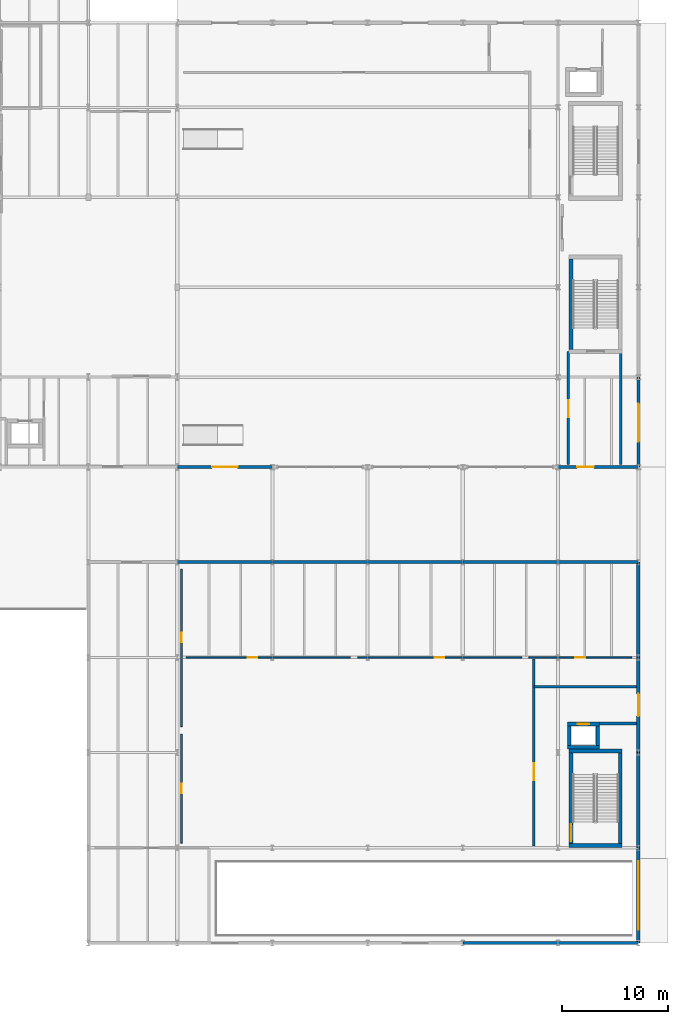
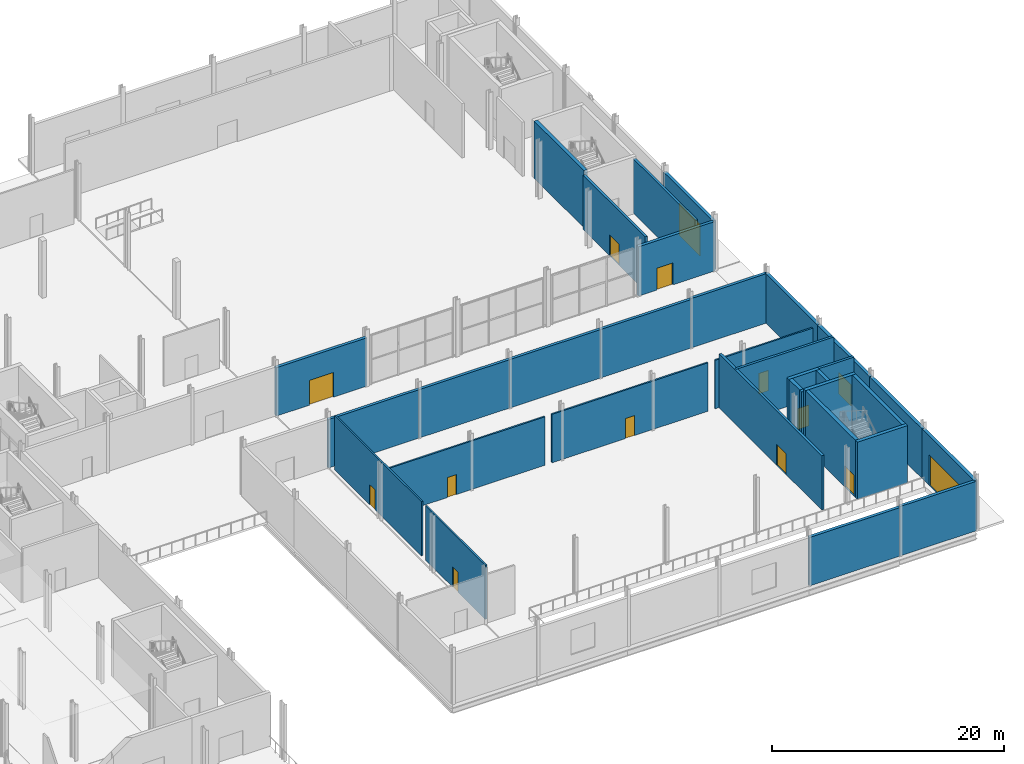
# One storey, part 62 of 84: 33 walls, 14 doors, 14 openings.
"""IFC4 building model written with IfcOpenShell, lengths in metres."""

from ifc_helpers import new_model, si_unit, direction, frame, frame_2d, origin, place, context, subcontext, project, spatial, rectangle, extrude, material, layer, layer_set, type_object, element, fill, save


model = new_model("IFC4")

# Units and contexts
model_context = context("Model", 3, precision=1e-05, world=origin(), true_north=direction((0.0, 1.0)))
body_context = subcontext(model_context, "Body", "Model", "MODEL_VIEW")
ifc_project = project(units=[si_unit("LENGTHUNIT", "METRE"), si_unit("AREAUNIT", "SQUARE_METRE"), si_unit("VOLUMEUNIT", "CUBIC_METRE"), si_unit("PLANEANGLEUNIT", "RADIAN"), si_unit("MASSUNIT", "GRAM", prefix="KILO")], contexts=[model_context])

# Site, building, storey
site_placement = place(None, origin())
site = spatial("IfcSite", under=ifc_project, at=site_placement, CompositionType="ELEMENT")
building_placement = place(site_placement, origin())
building = spatial("IfcBuilding", under=site, at=building_placement, Name="Sefraquen Railside Congress Hotel", CompositionType="ELEMENT")
storey_placement = place(building_placement, origin())
storey = spatial("IfcBuildingStorey", under=building, at=storey_placement, Name="L00", CompositionType="ELEMENT", Elevation=0.0)

# Walls
ifc_material_1 = material(Name="Concrete C50/60", Category="concrete")
ifc_layer_1 = layer(ifc_material_1, 0.35009765625)
ifc_layer_set_1 = layer_set([ifc_layer_1], Name="Concrete C50/60")
wall_type_1 = type_object("IfcWallType", Name="TW-CW-350", PredefinedType="SHEAR", material=ifc_layer_set_1)
wall_1_placement = place(storey_placement, frame((165.625, 65.10009765625, 0.0), z_axis=(0.0, 0.0, 1.0), x_axis=(0.0, 1.0, 0.0)))
element("IfcWall", 1, at=wall_1_placement, inside=storey, type_object=wall_type_1, Name="Core shear wall ST-B02 W L00", PredefinedType="SHEAR", context=body_context, shape_type="SweptSolid", body=[
    extrude(rectangle(XDim=8.579833984375, YDim=0.35009765625, at=frame_2d((4.2900390625, 0.0))), origin(), (0.0, 0.0, 1.0), 6.0),
])
for number, where, z_axis, x_axis, name in (
    (2, (165.449951171875, 27.155029296875, 0.0), (0.0, 0.0, 1.0), (1.0, 0.0, 0.0), "Core shear wall ST-S01 N L00"),
    (3, (165.449951171875, 18.22509765625, 0.0), (0.0, 0.0, 1.0), (1.0, 0.0, 0.0), "Core shear wall ST-S01 S L00"),
):
    element("IfcWall", number, at=place(storey_placement, frame(where, z_axis=z_axis, x_axis=x_axis)), inside=storey, type_object=wall_type_1, Name=name, PredefinedType="SHEAR", context=body_context, shape_type="SweptSolid", body=[
        extrude(rectangle(XDim=5.0, YDim=0.35009765625, at=frame_2d((2.5, 0.0))), origin(), (0.0, 0.0, 1.0), 6.0),
    ])

# Wall, opening, door
wall_2_placement = place(storey_placement, frame((165.625, 18.39990234375, 0.0), z_axis=(0.0, 0.0, 1.0), x_axis=(0.0, 1.0, 0.0)))
wall_2 = element("IfcWall", 4, at=wall_2_placement, inside=storey, type_object=wall_type_1, Name="Core shear wall ST-S01 W L00", PredefinedType="SHEAR", context=body_context, shape_type="SweptSolid", body=[
    extrude(rectangle(XDim=8.580078125, YDim=0.35009765625, at=frame_2d((4.2900390625, 0.0))), origin(), (0.0, 0.0, 1.0), 6.0),
])
opening_1_placement = place(wall_2_placement, frame((0.22509765625, 0.0, 0.0)))
opening_1 = element("IfcOpeningElement", 5, at=opening_1_placement, cuts=wall_2, Name="Opening FD-02", PredefinedType="OPENING", context=body_context, shape_type="SweptSolid", body=[
    extrude(rectangle(XDim=1.60009765625, YDim=2.199951171875, at=frame_2d((0.800048828125, 1.10009765625))), frame((0.0, 0.18505859375, 0.0), z_axis=(0.0, -1.0, 0.0), x_axis=(1.0, 0.0, 0.0)), (0.0, 0.0, 1.0), 0.3701171875),
])
ifc_material_2 = material(Name="Fire-rated steel", Category="steel")
door_type_1 = type_object("IfcDoorType", Name="TD-FD-02", OperationType="NOTDEFINED", PredefinedType="DOOR", material=ifc_material_2)
door_1_placement = place(opening_1_placement, origin())
door_1 = element("IfcDoor", 6, at=door_1_placement, inside=storey, type_object=door_type_1, Name="Pressurized stair ST-S01 fire door L00", OperationType="SINGLE_SWING_RIGHT", OverallHeight=2.199951171875, OverallWidth=1.60009765625, PredefinedType="DOOR", context=body_context, shape_type="SweptSolid", body=[
    extrude(rectangle(XDim=1.60009765625, YDim=2.199951171875, at=frame_2d((0.800048828125, 1.10009765625))), frame((0.0, 0.02490234375, 0.0), z_axis=(0.0, -1.0, 0.0), x_axis=(1.0, 0.0, 0.0)), (0.0, 0.0, 1.0), 0.050048828125),
])
fill(opening_1, door_1)

# Wall
wall_3_placement = place(storey_placement, frame((170.27490234375, 18.39990234375, 0.0), z_axis=(0.0, 0.0, 1.0), x_axis=(0.0, 1.0, 0.0)))
element("IfcWall", 7, at=wall_3_placement, inside=storey, type_object=wall_type_1, Name="Core shear wall ST-S01 E L00", PredefinedType="SHEAR", context=body_context, shape_type="SweptSolid", body=[
    extrude(rectangle(XDim=8.580078125, YDim=0.35009765625, at=frame_2d((4.2900390625, 0.0))), origin(), (0.0, 0.0, 1.0), 6.0),
])

# Wall, opening, door
wall_4_placement = place(storey_placement, frame((165.280029296875, 29.695068359375, 0.0), z_axis=(0.0, 0.0, 1.0), x_axis=(1.0, 0.0, 0.0)))
wall_4 = element("IfcWall", 8, at=wall_4_placement, inside=storey, type_object=wall_type_1, Name="Lift PL-09 shaft wall N L00", PredefinedType="SHEAR", context=body_context, shape_type="SweptSolid", body=[
    extrude(rectangle(XDim=3.0400390625, YDim=0.35009765625, at=frame_2d((1.52001953125, 0.0))), origin(), (0.0, 0.0, 1.0), 5.699951171875),
])
opening_2_placement = place(wall_4_placement, frame((0.969970703125, 0.0, 0.0)))
opening_2 = element("IfcOpeningElement", 9, at=opening_2_placement, cuts=wall_4, Name="Opening LD-01", PredefinedType="OPENING", context=body_context, shape_type="SweptSolid", body=[
    extrude(rectangle(XDim=1.10009765625, YDim=2.199951171875, at=frame_2d((0.550048828125, 1.10009765625))), frame((0.0, 0.18505859375, 0.0), z_axis=(0.0, -1.0, 0.0), x_axis=(1.0, 0.0, 0.0)), (0.0, 0.0, 1.0), 0.3701171875),
])
ifc_material_3 = material(Name="Brushed bronze stainless steel", Category="steel")
door_type_2 = type_object("IfcDoorType", Name="TD-LD-01", OperationType="NOTDEFINED", PredefinedType="DOOR", material=ifc_material_3)
door_2_placement = place(opening_2_placement, origin())
door_2 = element("IfcDoor", 10, at=door_2_placement, inside=storey, type_object=door_type_2, Name="Lift landing door PL-09 L00", OperationType="SLIDING_TO_LEFT", OverallHeight=2.199951171875, OverallWidth=1.10009765625, PredefinedType="DOOR", context=body_context, shape_type="SweptSolid", body=[
    extrude(rectangle(XDim=1.10009765625, YDim=2.199951171875, at=frame_2d((0.550048828125, 1.10009765625))), frame((0.0, 0.02490234375, 0.0), z_axis=(0.0, -1.0, 0.0), x_axis=(1.0, 0.0, 0.0)), (0.0, 0.0, 1.0), 0.050048828125),
])
fill(opening_2, door_2)

# Walls
wall_5_placement = place(storey_placement, frame((165.280029296875, 27.5048828125, 0.0), z_axis=(0.0, 0.0, 1.0), x_axis=(1.0, 0.0, 0.0)))
element("IfcWall", 11, at=wall_5_placement, inside=storey, type_object=wall_type_1, Name="Lift PL-09 shaft wall S L00", PredefinedType="SHEAR", context=body_context, shape_type="SweptSolid", body=[
    extrude(rectangle(XDim=3.0400390625, YDim=0.35009765625, at=frame_2d((1.52001953125, 0.0))), origin(), (0.0, 0.0, 1.0), 5.699951171875),
])
for number, where, z_axis, x_axis, name in (
    (12, (165.455078125, 27.679931640625, 0.0), (0.0, 0.0, 1.0), (0.0, 1.0, 0.0), "Lift PL-09 shaft wall W L00"),
    (13, (168.14501953125, 27.679931640625, 0.0), (0.0, 0.0, 1.0), (0.0, 1.0, 0.0), "Lift PL-09 shaft wall E L00"),
):
    element("IfcWall", number, at=place(storey_placement, frame(where, z_axis=z_axis, x_axis=x_axis)), inside=storey, type_object=wall_type_1, Name=name, PredefinedType="SHEAR", context=body_context, shape_type="SweptSolid", body=[
        extrude(rectangle(XDim=1.840087890625, YDim=0.35009765625, at=frame_2d((0.919921875, 0.0))), origin(), (0.0, 0.0, 1.0), 5.699951171875),
    ])
ifc_material_4 = material(Name="Ochre Rabat calcarenite limestone and Concrete C40/50 backing", Category="masonry")
ifc_layer_2 = layer(ifc_material_4, 0.280029296875)
ifc_layer_set_2 = layer_set([ifc_layer_2], Name="Ochre Rabat calcarenite limestone and Concrete C40/50 backing")
wall_type_2 = type_object("IfcWallType", Name="TW-EW-280", PredefinedType="STANDARD", material=ifc_layer_set_2)
for number, where, z_axis, x_axis, name in (
    (14, (128.39990234375, 45.0, 0.0), (0.0, 0.0, 1.0), (1.0, 0.0, 0.0), "Thermal Spa L00 north garden wall 2"),
    (15, (137.39990234375, 45.0, 0.0), (0.0, 0.0, 1.0), (1.0, 0.0, 0.0), "Thermal Spa L00 north garden wall 3"),
    (16, (146.39990234375, 45.0, 0.0), (0.0, 0.0, 1.0), (1.0, 0.0, 0.0), "Thermal Spa L00 north garden wall 4"),
    (17, (155.39990234375, 45.0, 0.0), (0.0, 0.0, 1.0), (1.0, 0.0, 0.0), "Thermal Spa L00 north garden wall 5"),
):
    element("IfcWall", number, at=place(storey_placement, frame(where, z_axis=z_axis, x_axis=x_axis)), inside=storey, type_object=wall_type_2, Name=name, PredefinedType="STANDARD", context=body_context, shape_type="SweptSolid", body=[
        extrude(rectangle(XDim=9.0, YDim=0.280029296875, at=frame_2d((4.5, 0.0))), origin(), (0.0, 0.0, 1.0), 5.090087890625),
    ])
wall_6_placement = place(storey_placement, frame((164.39990234375, 45.0, 0.0), z_axis=(0.0, 0.0, 1.0), x_axis=(1.0, 0.0, 0.0)))
element("IfcWall", 18, at=wall_6_placement, inside=storey, type_object=wall_type_2, Name="Thermal Spa L00 north garden wall 6", PredefinedType="STANDARD", context=body_context, shape_type="SweptSolid", body=[
    extrude(rectangle(XDim=7.60009765625, YDim=0.280029296875, at=frame_2d((3.800048828125, 0.0))), origin(), (0.0, 0.0, 1.0), 5.18994140625),
])
ifc_layer_3 = layer(ifc_material_4, 0.300048828125)
ifc_layer_set_3 = layer_set([ifc_layer_3], Name="Ochre Rabat calcarenite limestone and Concrete C40/50 backing")
wall_type_3 = type_object("IfcWallType", Name="TW-EW-300", PredefinedType="STANDARD", material=ifc_layer_set_3)
wall_7_placement = place(storey_placement, frame((155.39990234375, 9.0, 0.0), z_axis=(0.0, 0.0, 1.0), x_axis=(1.0, 0.0, 0.0)))
element("IfcWall", 19, at=wall_7_placement, inside=storey, type_object=wall_type_3, Name="Thermal Spa L00 south limestone wall 5", PredefinedType="STANDARD", context=body_context, shape_type="SweptSolid", body=[
    extrude(rectangle(XDim=9.0, YDim=0.300048828125, at=frame_2d((4.5, 0.0))), origin(), (0.0, 0.0, 1.0), 5.090087890625),
])
wall_8_placement = place(storey_placement, frame((164.39990234375, 9.0, 0.0), z_axis=(0.0, 0.0, 1.0), x_axis=(1.0, 0.0, 0.0)))
element("IfcWall", 20, at=wall_8_placement, inside=storey, type_object=wall_type_3, Name="Thermal Spa L00 south limestone wall 6", PredefinedType="STANDARD", context=body_context, shape_type="SweptSolid", body=[
    extrude(rectangle(XDim=7.60009765625, YDim=0.300048828125, at=frame_2d((3.800048828125, 0.0))), origin(), (0.0, 0.0, 1.0), 5.18994140625),
])

# Wall, opening, door
wall_9_placement = place(storey_placement, frame((128.39990234375, 54.0, 0.0), z_axis=(0.0, 0.0, 1.0), x_axis=(1.0, 0.0, 0.0)))
wall_9 = element("IfcWall", 21, at=wall_9_placement, inside=storey, type_object=wall_type_3, Name="Grand Ballroom L00 S facade wall 1", PredefinedType="STANDARD", context=body_context, shape_type="SweptSolid", body=[
    extrude(rectangle(XDim=9.0, YDim=0.300048828125, at=frame_2d((4.5, 0.0))), origin(), (0.0, 0.0, 1.0), 5.090087890625),
])
opening_3_placement = place(wall_9_placement, frame((3.300048828125, 0.0, 0.0)))
opening_3 = element("IfcOpeningElement", 22, at=opening_3_placement, cuts=wall_9, Name="Opening ED-01", PredefinedType="OPENING", context=body_context, shape_type="SweptSolid", body=[
    extrude(rectangle(XDim=2.39990234375, YDim=2.60009765625, at=frame_2d((1.199951171875, 1.300048828125))), frame((0.0, 0.159912109375, 0.0), z_axis=(0.0, -1.0, 0.0), x_axis=(1.0, 0.0, 0.0)), (0.0, 0.0, 1.0), 0.320068359375),
])
ifc_material_5 = material(Name="Bronze and fire-rated laminated glass", Category="glass")
door_type_3 = type_object("IfcDoorType", Name="TD-ED-01", OperationType="NOTDEFINED", PredefinedType="DOOR", material=ifc_material_5)
door_3_placement = place(opening_3_placement, frame((2.39990234375, 0.0, 0.0), z_axis=(0.0, 0.0, 1.0), x_axis=(-1.0, 0.0, 0.0)))
door_3 = element("IfcDoor", 23, at=door_3_placement, inside=storey, type_object=door_type_3, Name="Grand Ballroom south final exit door 11", OperationType="DOUBLE_SWING_LEFT", OverallHeight=2.60009765625, OverallWidth=2.39990234375, PredefinedType="DOOR", context=body_context, shape_type="SweptSolid", body=[
    extrude(rectangle(XDim=2.39990234375, YDim=2.60009765625, at=frame_2d((1.199951171875, 1.300048828125))), frame((0.0, 0.02490234375, 0.0), z_axis=(0.0, -1.0, 0.0), x_axis=(1.0, 0.0, 0.0)), (0.0, 0.0, 1.0), 0.050048828125),
])
fill(opening_3, door_3)

wall_10_placement = place(storey_placement, frame((164.39990234375, 54.0, 0.0), z_axis=(0.0, 0.0, 1.0), x_axis=(1.0, 0.0, 0.0)))
wall_10 = element("IfcWall", 24, at=wall_10_placement, inside=storey, type_object=wall_type_3, Name="Grand Ballroom L00 S facade wall 5", PredefinedType="STANDARD", context=body_context, shape_type="SweptSolid", body=[
    extrude(rectangle(XDim=7.60009765625, YDim=0.300048828125, at=frame_2d((3.800048828125, 0.0))), origin(), (0.0, 0.0, 1.0), 5.18994140625),
])
opening_4_placement = place(wall_10_placement, frame((1.800048828125, 0.0, 0.0)))
opening_4 = element("IfcOpeningElement", 25, at=opening_4_placement, cuts=wall_10, Name="Opening ED-08", PredefinedType="OPENING", context=body_context, shape_type="SweptSolid", body=[
    extrude(rectangle(XDim=1.60009765625, YDim=2.300048828125, at=frame_2d((0.800048828125, 1.14990234375))), frame((0.0, 0.159912109375, 0.0), z_axis=(0.0, -1.0, 0.0), x_axis=(1.0, 0.0, 0.0)), (0.0, 0.0, 1.0), 0.320068359375),
])
ifc_material_6 = material(Name="Bronze and low-E fire-rated glass", Category="glass")
door_type_4 = type_object("IfcDoorType", Name="TD-ED-08", OperationType="NOTDEFINED", PredefinedType="DOOR", material=ifc_material_6)
door_4_placement = place(opening_4_placement, frame((1.60009765625, 0.0, 0.0), z_axis=(0.0, 0.0, 1.0), x_axis=(-1.0, 0.0, 0.0)))
door_4 = element("IfcDoor", 26, at=door_4_placement, inside=storey, type_object=door_type_4, Name="Ballroom South-East stair final exit door", OperationType="DOUBLE_SWING_LEFT", OverallHeight=2.300048828125, OverallWidth=1.60009765625, PredefinedType="DOOR", context=body_context, shape_type="SweptSolid", body=[
    extrude(rectangle(XDim=1.60009765625, YDim=2.300048828125, at=frame_2d((0.800048828125, 1.14990234375))), frame((0.0, 0.02490234375, 0.0), z_axis=(0.0, -1.0, 0.0), x_axis=(1.0, 0.0, 0.0)), (0.0, 0.0, 1.0), 0.050048828125),
])
fill(opening_4, door_4)

wall_11_placement = place(storey_placement, frame((172.0, 54.0, 0.0), z_axis=(0.0, 0.0, 1.0), x_axis=(0.0, 1.0, 0.0)))
wall_11 = element("IfcWall", 27, at=wall_11_placement, inside=storey, type_object=wall_type_3, Name="Grand Ballroom L00 east service facade wall 1", PredefinedType="STANDARD", context=body_context, shape_type="SweptSolid", body=[
    extrude(rectangle(XDim=8.5, YDim=0.300048828125, at=frame_2d((4.25, 0.0))), origin(), (0.0, 0.0, 1.0), 5.199951171875),
])
opening_5_placement = place(wall_11_placement, frame((2.39990234375, 0.0, 0.0)))
opening_5 = element("IfcOpeningElement", 28, at=opening_5_placement, cuts=wall_11, Name="Opening VG-02", PredefinedType="OPENING", context=body_context, shape_type="SweptSolid", body=[
    extrude(rectangle(XDim=3.60009765625, YDim=3.39990234375, at=frame_2d((1.800048828125, 1.699951171875))), frame((0.0, 0.159912109375, 0.0), z_axis=(0.0, -1.0, 0.0), x_axis=(1.0, 0.0, 0.0)), (0.0, 0.0, 1.0), 0.320068359375),
])
ifc_material_7 = material(Name="Insulated steel roller shutter", Category="steel")
door_type_5 = type_object("IfcDoorType", Name="TD-VG-02", OperationType="NOTDEFINED", PredefinedType="GATE", material=ifc_material_7)
door_5_placement = place(opening_5_placement, origin())
door_5 = element("IfcDoor", 29, at=door_5_placement, inside=storey, type_object=door_type_5, Name="Ballroom east loading bay service gate VG-02", OperationType="SLIDING_TO_LEFT", OverallHeight=3.39990234375, OverallWidth=3.60009765625, PredefinedType="GATE", context=body_context, shape_type="SweptSolid", body=[
    extrude(rectangle(XDim=3.60009765625, YDim=3.39990234375, at=frame_2d((1.800048828125, 1.699951171875))), frame((0.0, 0.02490234375, 0.0), z_axis=(0.0, -1.0, 0.0), x_axis=(1.0, 0.0, 0.0)), (0.0, 0.0, 1.0), 0.050048828125),
])
fill(opening_5, door_5)

ifc_layer_4 = layer(ifc_material_4, 0.320068359375)
ifc_layer_set_4 = layer_set([ifc_layer_4], Name="Ochre Rabat calcarenite limestone and Concrete C40/50 backing")
wall_type_4 = type_object("IfcWallType", Name="TW-EW-320", PredefinedType="STANDARD", material=ifc_layer_set_4)
wall_12_placement = place(storey_placement, frame((172.0, 9.0, 0.0), z_axis=(0.0, 0.0, 1.0), x_axis=(0.0, 1.0, 0.0)))
wall_12 = element("IfcWall", 30, at=wall_12_placement, inside=storey, type_object=wall_type_4, Name="East car park ramp portal wall", PredefinedType="STANDARD", context=body_context, shape_type="SweptSolid", body=[
    extrude(rectangle(XDim=9.0, YDim=0.320068359375, at=frame_2d((4.5, 0.0))), origin(), (0.0, 0.0, 1.0), 5.199951171875),
])
opening_6_placement = place(wall_12_placement, frame((1.25, 0.0, 0.0)))
opening_6 = element("IfcOpeningElement", 31, at=opening_6_placement, cuts=wall_12, Name="Opening VG-01", PredefinedType="OPENING", context=body_context, shape_type="SweptSolid", body=[
    extrude(rectangle(XDim=6.5, YDim=3.199951171875, at=frame_2d((3.25, 1.60009765625))), frame((0.0, 0.169921875, 0.0), z_axis=(0.0, -1.0, 0.0), x_axis=(1.0, 0.0, 0.0)), (0.0, 0.0, 1.0), 0.340087890625),
])
ifc_material_8 = material(Name="Patinated bronze and steel security grille", Category="steel")
door_type_6 = type_object("IfcDoorType", Name="TD-VG-01", OperationType="NOTDEFINED", PredefinedType="GATE", material=ifc_material_8)
door_6_placement = place(opening_6_placement, origin())
door_6 = element("IfcDoor", 32, at=door_6_placement, inside=storey, type_object=door_type_6, Name="Motorized basement car park entry gate VG-01", OperationType="SLIDING_TO_LEFT", OverallHeight=3.199951171875, OverallWidth=6.5, PredefinedType="GATE", context=body_context, shape_type="SweptSolid", body=[
    extrude(rectangle(XDim=6.5, YDim=3.199951171875, at=frame_2d((3.25, 1.60009765625))), frame((0.0, 0.02490234375, 0.0), z_axis=(0.0, -1.0, 0.0), x_axis=(1.0, 0.0, 0.0)), (0.0, 0.0, 1.0), 0.050048828125),
])
fill(opening_6, door_6)

# Wall
wall_13_placement = place(storey_placement, frame((172.0, 18.0, 0.0), z_axis=(0.0, 0.0, 1.0), x_axis=(0.0, 1.0, 0.0)))
element("IfcWall", 33, at=wall_13_placement, inside=storey, type_object=wall_type_4, Name="Thermal Spa L00 east facade wall 1", PredefinedType="STANDARD", context=body_context, shape_type="SweptSolid", body=[
    extrude(rectangle(XDim=9.0, YDim=0.320068359375, at=frame_2d((4.5, 0.0))), origin(), (0.0, 0.0, 1.0), 5.199951171875),
])

# Wall, opening, door
wall_14_placement = place(storey_placement, frame((172.0, 27.0, 0.0), z_axis=(0.0, 0.0, 1.0), x_axis=(0.0, 1.0, 0.0)))
wall_14 = element("IfcWall", 34, at=wall_14_placement, inside=storey, type_object=wall_type_4, Name="Thermal Spa L00 east facade wall 2", PredefinedType="STANDARD", context=body_context, shape_type="SweptSolid", body=[
    extrude(rectangle(XDim=9.0, YDim=0.320068359375, at=frame_2d((4.5, 0.0))), origin(), (0.0, 0.0, 1.0), 5.199951171875),
])
opening_7_placement = place(wall_14_placement, frame((3.449951171875, 0.0, 0.0)))
opening_7 = element("IfcOpeningElement", 35, at=opening_7_placement, cuts=wall_14, Name="Opening ED-06", PredefinedType="OPENING", context=body_context, shape_type="SweptSolid", body=[
    extrude(rectangle(XDim=2.10009765625, YDim=2.25, at=frame_2d((1.050048828125, 1.125))), frame((0.0, 0.169921875, 0.0), z_axis=(0.0, -1.0, 0.0), x_axis=(1.0, 0.0, 0.0)), (0.0, 0.0, 1.0), 0.340087890625),
])
ifc_material_9 = material(Name="Painted steel and safety glass", Category="steel")
door_type_7 = type_object("IfcDoorType", Name="TD-ED-06", OperationType="NOTDEFINED", PredefinedType="DOOR", material=ifc_material_9)
door_7_placement = place(opening_7_placement, frame((2.10009765625, 0.0, 0.0), z_axis=(0.0, 0.0, 1.0), x_axis=(-1.0, 0.0, 0.0)))
door_7 = element("IfcDoor", 36, at=door_7_placement, inside=storey, type_object=door_type_7, Name="Thermal Spa stair final exit door", OperationType="DOUBLE_SWING_LEFT", OverallHeight=2.25, OverallWidth=2.10009765625, PredefinedType="DOOR", context=body_context, shape_type="SweptSolid", body=[
    extrude(rectangle(XDim=2.10009765625, YDim=2.25, at=frame_2d((1.050048828125, 1.125))), frame((0.0, 0.02490234375, 0.0), z_axis=(0.0, -1.0, 0.0), x_axis=(1.0, 0.0, 0.0)), (0.0, 0.0, 1.0), 0.050048828125),
])
fill(opening_7, door_7)

# Wall
wall_15_placement = place(storey_placement, frame((172.0, 36.0, 0.0), z_axis=(0.0, 0.0, 1.0), x_axis=(0.0, 1.0, 0.0)))
element("IfcWall", 37, at=wall_15_placement, inside=storey, type_object=wall_type_4, Name="Thermal Spa L00 east facade wall 3", PredefinedType="STANDARD", context=body_context, shape_type="SweptSolid", body=[
    extrude(rectangle(XDim=9.0, YDim=0.320068359375, at=frame_2d((4.5, 0.0))), origin(), (0.0, 0.0, 1.0), 5.199951171875),
])

# Wall, opening, door
ifc_material_10 = material(Name="Concrete C40/50", Category="concrete")
ifc_layer_5 = layer(ifc_material_10, 0.239990234375)
ifc_layer_set_5 = layer_set([ifc_layer_5], Name="Concrete C40/50")
wall_type_5 = type_object("IfcWallType", Name="TW-FW-240", PredefinedType="STANDARD", material=ifc_layer_set_5)
wall_16_placement = place(storey_placement, frame((165.3798828125, 54.219970703125, 0.0), z_axis=(0.0, 0.0, 1.0), x_axis=(0.0, 1.0, 0.0)))
wall_16 = element("IfcWall", 38, at=wall_16_placement, inside=storey, type_object=wall_type_5, Name="Ballroom SE stair discharge EI 120 west fire wall", PredefinedType="STANDARD", context=body_context, shape_type="SweptSolid", body=[
    extrude(rectangle(XDim=10.679931640625, YDim=0.239990234375, at=frame_2d((5.33984375, 0.0))), origin(), (0.0, 0.0, 1.0), 5.699951171875),
])
opening_8_placement = place(wall_16_placement, frame((4.5, 0.0, 0.0)))
opening_8 = element("IfcOpeningElement", 39, at=opening_8_placement, cuts=wall_16, Name="Opening FD-02", PredefinedType="OPENING", context=body_context, shape_type="SweptSolid", body=[
    extrude(rectangle(XDim=1.60009765625, YDim=2.199951171875, at=frame_2d((0.800048828125, 1.10009765625))), frame((0.0, 0.1298828125, 0.0), z_axis=(0.0, -1.0, 0.0), x_axis=(1.0, 0.0, 0.0)), (0.0, 0.0, 1.0), 0.260009765625),
])
door_8_placement = place(opening_8_placement, origin())
door_8 = element("IfcDoor", 40, at=door_8_placement, inside=storey, type_object=door_type_1, Name="Ballroom SE stair discharge EI 120 west fire wall self-closing fire door", OperationType="DOUBLE_SWING_LEFT", OverallHeight=2.199951171875, OverallWidth=1.60009765625, PredefinedType="DOOR", context=body_context, shape_type="SweptSolid", body=[
    extrude(rectangle(XDim=1.60009765625, YDim=2.199951171875, at=frame_2d((0.800048828125, 1.10009765625))), frame((0.0, 0.02490234375, 0.0), z_axis=(0.0, -1.0, 0.0), x_axis=(1.0, 0.0, 0.0)), (0.0, 0.0, 1.0), 0.050048828125),
])
fill(opening_8, door_8)

# Wall
wall_17_placement = place(storey_placement, frame((170.35009765625, 54.219970703125, 0.0), z_axis=(0.0, 0.0, 1.0), x_axis=(0.0, 1.0, 0.0)))
element("IfcWall", 41, at=wall_17_placement, inside=storey, type_object=wall_type_5, Name="Ballroom SE stair discharge EI 120 east fire wall", PredefinedType="STANDARD", context=body_context, shape_type="SweptSolid", body=[
    extrude(rectangle(XDim=10.679931640625, YDim=0.239990234375, at=frame_2d((5.33984375, 0.0))), origin(), (0.0, 0.0, 1.0), 5.699951171875),
])

# Wall, opening, door
wall_18_placement = place(storey_placement, frame((162.1201171875, 18.179931640625, 0.0), z_axis=(0.0, 0.0, 1.0), x_axis=(0.0, 1.0, 0.0)))
wall_18 = element("IfcWall", 42, at=wall_18_placement, inside=storey, type_object=wall_type_5, Name="Thermal Spa stair discharge EI 120 west fire wall", PredefinedType="STANDARD", context=body_context, shape_type="SweptSolid", body=[
    extrude(rectangle(XDim=17.670166015625, YDim=0.239990234375, at=frame_2d((8.8349609375, 0.0))), origin(), (0.0, 0.0, 1.0), 5.699951171875),
])
opening_9_placement = place(wall_18_placement, frame((6.199951171875, 0.0, 0.0)))
opening_9 = element("IfcOpeningElement", 43, at=opening_9_placement, cuts=wall_18, Name="Opening FD-02", PredefinedType="OPENING", context=body_context, shape_type="SweptSolid", body=[
    extrude(rectangle(XDim=1.60009765625, YDim=2.199951171875, at=frame_2d((0.800048828125, 1.10009765625))), frame((0.0, 0.1298828125, 0.0), z_axis=(0.0, -1.0, 0.0), x_axis=(1.0, 0.0, 0.0)), (0.0, 0.0, 1.0), 0.260009765625),
])
door_9_placement = place(opening_9_placement, origin())
door_9 = element("IfcDoor", 44, at=door_9_placement, inside=storey, type_object=door_type_1, Name="Thermal Spa stair discharge EI 120 west fire wall self-closing fire door", OperationType="DOUBLE_SWING_LEFT", OverallHeight=2.199951171875, OverallWidth=1.60009765625, PredefinedType="DOOR", context=body_context, shape_type="SweptSolid", body=[
    extrude(rectangle(XDim=1.60009765625, YDim=2.199951171875, at=frame_2d((0.800048828125, 1.10009765625))), frame((0.0, 0.02490234375, 0.0), z_axis=(0.0, -1.0, 0.0), x_axis=(1.0, 0.0, 0.0)), (0.0, 0.0, 1.0), 0.050048828125),
])
fill(opening_9, door_9)

# Walls
wall_19_placement = place(storey_placement, frame((162.1201171875, 33.219970703125, 0.0), z_axis=(0.0, 0.0, 1.0), x_axis=(1.0, 0.0, 0.0)))
element("IfcWall", 45, at=wall_19_placement, inside=storey, type_object=wall_type_5, Name="Thermal Spa stair discharge EI 120 north fire wall", PredefinedType="STANDARD", context=body_context, shape_type="SweptSolid", body=[
    extrude(rectangle(XDim=9.699951171875, YDim=0.239990234375, at=frame_2d((4.85009765625, 0.0))), origin(), (0.0, 0.0, 1.0), 5.699951171875),
])
wall_20_placement = place(storey_placement, frame((168.320068359375, 29.75, 0.0), z_axis=(0.0, 0.0, 1.0), x_axis=(1.0, 0.0, 0.0)))
element("IfcWall", 46, at=wall_20_placement, inside=storey, type_object=wall_type_5, Name="Thermal Spa stair discharge EI 120 south fire wall", PredefinedType="STANDARD", context=body_context, shape_type="SweptSolid", body=[
    extrude(rectangle(XDim=3.5, YDim=0.239990234375, at=frame_2d((1.75, 0.0))), origin(), (0.0, 0.0, 1.0), 5.699951171875),
])

# Wall, opening, door
ifc_material_11 = material(Name="Moisture-resistant gypsum board", Category="gypsum")
ifc_layer_6 = layer(ifc_material_11, 0.159912109375)
ifc_layer_set_6 = layer_set([ifc_layer_6], Name="Moisture-resistant gypsum board")
wall_type_6 = type_object("IfcWallType", Name="TW-PW-160", PredefinedType="PARTITIONING", material=ifc_layer_set_6)
wall_21_placement = place(storey_placement, frame((128.800048828125, 18.449951171875, 0.0), z_axis=(0.0, 0.0, 1.0), x_axis=(0.0, 1.0, 0.0)))
wall_21 = element("IfcWall", 47, at=wall_21_placement, inside=storey, type_object=wall_type_6, Name="Traditional Moroccan Hammam Suite 01 enclosure wall", PredefinedType="PARTITIONING", context=body_context, shape_type="SweptSolid", body=[
    extrude(rectangle(XDim=10.300048828125, YDim=0.159912109375, at=frame_2d((5.14990234375, 0.0))), origin(), (0.0, 0.0, 1.0), 5.699951171875),
])
opening_10_placement = place(wall_21_placement, frame((4.699951171875, 0.0, 0.0)))
opening_10 = element("IfcOpeningElement", 48, at=opening_10_placement, cuts=wall_21, Name="Opening ID-02", PredefinedType="OPENING", context=body_context, shape_type="SweptSolid", body=[
    extrude(rectangle(XDim=0.89990234375, YDim=2.10009765625, at=frame_2d((0.449951171875, 1.050048828125))), frame((0.0, 0.08984375, 0.0), z_axis=(0.0, -1.0, 0.0), x_axis=(1.0, 0.0, 0.0)), (0.0, 0.0, 1.0), 0.179931640625),
])
ifc_material_12 = material(Name="Lacquered cedar joinery", Category="wood")
door_type_8 = type_object("IfcDoorType", Name="TD-ID-02", OperationType="NOTDEFINED", PredefinedType="DOOR", material=ifc_material_12)
door_10_placement = place(opening_10_placement, origin())
door_10 = element("IfcDoor", 49, at=door_10_placement, inside=storey, type_object=door_type_8, Name="Traditional Moroccan Hammam Suite 01 entrance door", OperationType="SINGLE_SWING_RIGHT", OverallHeight=2.10009765625, OverallWidth=0.89990234375, PredefinedType="DOOR", context=body_context, shape_type="SweptSolid", body=[
    extrude(rectangle(XDim=0.89990234375, YDim=2.10009765625, at=frame_2d((0.449951171875, 1.050048828125))), frame((0.0, 0.02490234375, 0.0), z_axis=(0.0, -1.0, 0.0), x_axis=(1.0, 0.0, 0.0)), (0.0, 0.0, 1.0), 0.050048828125),
])
fill(opening_10, door_10)

wall_22_placement = place(storey_placement, frame((128.800048828125, 29.449951171875, 0.0), z_axis=(0.0, 0.0, 1.0), x_axis=(0.0, 1.0, 0.0)))
wall_22 = element("IfcWall", 50, at=wall_22_placement, inside=storey, type_object=wall_type_6, Name="Traditional Moroccan Hammam Suite 02 enclosure wall", PredefinedType="PARTITIONING", context=body_context, shape_type="SweptSolid", body=[
    extrude(rectangle(XDim=14.900146484375, YDim=0.159912109375, at=frame_2d((7.4501953125, 0.0))), origin(), (0.0, 0.0, 1.0), 5.699951171875),
])
opening_11_placement = place(wall_22_placement, frame((8.0, 0.0, 0.0)))
opening_11 = element("IfcOpeningElement", 51, at=opening_11_placement, cuts=wall_22, Name="Opening ID-02", PredefinedType="OPENING", context=body_context, shape_type="SweptSolid", body=[
    extrude(rectangle(XDim=0.89990234375, YDim=2.10009765625, at=frame_2d((0.449951171875, 1.050048828125))), frame((0.0, 0.08984375, 0.0), z_axis=(0.0, -1.0, 0.0), x_axis=(1.0, 0.0, 0.0)), (0.0, 0.0, 1.0), 0.179931640625),
])
door_11_placement = place(opening_11_placement, origin())
door_11 = element("IfcDoor", 52, at=door_11_placement, inside=storey, type_object=door_type_8, Name="Traditional Moroccan Hammam Suite 02 entrance door", OperationType="SINGLE_SWING_LEFT", OverallHeight=2.10009765625, OverallWidth=0.89990234375, PredefinedType="DOOR", context=body_context, shape_type="SweptSolid", body=[
    extrude(rectangle(XDim=0.89990234375, YDim=2.10009765625, at=frame_2d((0.449951171875, 1.050048828125))), frame((0.0, 0.02490234375, 0.0), z_axis=(0.0, -1.0, 0.0), x_axis=(1.0, 0.0, 0.0)), (0.0, 0.0, 1.0), 0.050048828125),
])
fill(opening_11, door_11)

wall_23_placement = place(storey_placement, frame((129.25, 36.0, 0.0), z_axis=(0.0, 0.0, 1.0), x_axis=(1.0, 0.0, 0.0)))
wall_23 = element("IfcWall", 53, at=wall_23_placement, inside=storey, type_object=wall_type_6, Name="Spa Men Locker and Shower Changing Room enclosure wall", PredefinedType="PARTITIONING", context=body_context, shape_type="SweptSolid", body=[
    extrude(rectangle(XDim=15.5, YDim=0.159912109375, at=frame_2d((7.75, 0.0))), origin(), (0.0, 0.0, 1.0), 5.090087890625),
])
opening_12_placement = place(wall_23_placement, frame((5.800048828125, 0.0, 0.0)))
opening_12 = element("IfcOpeningElement", 54, at=opening_12_placement, cuts=wall_23, Name="Opening ID-02", PredefinedType="OPENING", context=body_context, shape_type="SweptSolid", body=[
    extrude(rectangle(XDim=0.89990234375, YDim=2.10009765625, at=frame_2d((0.449951171875, 1.050048828125))), frame((0.0, 0.08984375, 0.0), z_axis=(0.0, -1.0, 0.0), x_axis=(1.0, 0.0, 0.0)), (0.0, 0.0, 1.0), 0.179931640625),
])
door_12_placement = place(opening_12_placement, origin())
door_12 = element("IfcDoor", 55, at=door_12_placement, inside=storey, type_object=door_type_8, Name="Spa Men Locker and Shower Changing Room entrance door", OperationType="SINGLE_SWING_RIGHT", OverallHeight=2.10009765625, OverallWidth=0.89990234375, PredefinedType="DOOR", context=body_context, shape_type="SweptSolid", body=[
    extrude(rectangle(XDim=0.89990234375, YDim=2.10009765625, at=frame_2d((0.449951171875, 1.050048828125))), frame((0.0, 0.02490234375, 0.0), z_axis=(0.0, -1.0, 0.0), x_axis=(1.0, 0.0, 0.0)), (0.0, 0.0, 1.0), 0.050048828125),
])
fill(opening_12, door_12)

wall_24_placement = place(storey_placement, frame((145.449951171875, 36.0, 0.0), z_axis=(0.0, 0.0, 1.0), x_axis=(1.0, 0.0, 0.0)))
wall_24 = element("IfcWall", 56, at=wall_24_placement, inside=storey, type_object=wall_type_6, Name="Spa Women Locker and Shower Changing Room enclosure wall", PredefinedType="PARTITIONING", context=body_context, shape_type="SweptSolid", body=[
    extrude(rectangle(XDim=15.5, YDim=0.159912109375, at=frame_2d((7.75, 0.0))), origin(), (0.0, 0.0, 1.0), 5.090087890625),
])
opening_13_placement = place(wall_24_placement, frame((7.300048828125, 0.0, 0.0)))
opening_13 = element("IfcOpeningElement", 57, at=opening_13_placement, cuts=wall_24, Name="Opening ID-02", PredefinedType="OPENING", context=body_context, shape_type="SweptSolid", body=[
    extrude(rectangle(XDim=0.89990234375, YDim=2.10009765625, at=frame_2d((0.449951171875, 1.050048828125))), frame((0.0, 0.08984375, 0.0), z_axis=(0.0, -1.0, 0.0), x_axis=(1.0, 0.0, 0.0)), (0.0, 0.0, 1.0), 0.179931640625),
])
door_13_placement = place(opening_13_placement, origin())
door_13 = element("IfcDoor", 58, at=door_13_placement, inside=storey, type_object=door_type_8, Name="Spa Women Locker and Shower Changing Room entrance door", OperationType="SINGLE_SWING_LEFT", OverallHeight=2.10009765625, OverallWidth=0.89990234375, PredefinedType="DOOR", context=body_context, shape_type="SweptSolid", body=[
    extrude(rectangle(XDim=0.89990234375, YDim=2.10009765625, at=frame_2d((0.449951171875, 1.050048828125))), frame((0.0, 0.02490234375, 0.0), z_axis=(0.0, -1.0, 0.0), x_axis=(1.0, 0.0, 0.0)), (0.0, 0.0, 1.0), 0.050048828125),
])
fill(opening_13, door_13)

wall_25_placement = place(storey_placement, frame((161.64990234375, 36.0, 0.0), z_axis=(0.0, 0.0, 1.0), x_axis=(1.0, 0.0, 0.0)))
wall_25 = element("IfcWall", 59, at=wall_25_placement, inside=storey, type_object=wall_type_6, Name="Spa Accessible WC and Changing Room enclosure wall", PredefinedType="PARTITIONING", context=body_context, shape_type="SweptSolid", body=[
    extrude(rectangle(XDim=9.7001953125, YDim=0.159912109375, at=frame_2d((4.85009765625, 0.0))), origin(), (0.0, 0.0, 1.0), 5.090087890625),
])
opening_14_placement = place(wall_25_placement, frame((4.3798828125, 0.0, 0.0)))
opening_14 = element("IfcOpeningElement", 60, at=opening_14_placement, cuts=wall_25, Name="Opening ID-01", PredefinedType="OPENING", context=body_context, shape_type="SweptSolid", body=[
    extrude(rectangle(XDim=0.93994140625, YDim=2.14990234375, at=frame_2d((0.469970703125, 1.074951171875))), frame((0.0, 0.08984375, 0.0), z_axis=(0.0, -1.0, 0.0), x_axis=(1.0, 0.0, 0.0)), (0.0, 0.0, 1.0), 0.179931640625),
])
door_type_9 = type_object("IfcDoorType", Name="TD-ID-01", OperationType="NOTDEFINED", PredefinedType="DOOR", material=ifc_material_12)
door_14_placement = place(opening_14_placement, origin())
door_14 = element("IfcDoor", 61, at=door_14_placement, inside=storey, type_object=door_type_9, Name="Spa Accessible WC and Changing Room entrance door", OperationType="SINGLE_SWING_RIGHT", OverallHeight=2.14990234375, OverallWidth=0.93994140625, PredefinedType="DOOR", context=body_context, shape_type="SweptSolid", body=[
    extrude(rectangle(XDim=0.93994140625, YDim=2.14990234375, at=frame_2d((0.469970703125, 1.074951171875))), frame((0.0, 0.02490234375, 0.0), z_axis=(0.0, -1.0, 0.0), x_axis=(1.0, 0.0, 0.0)), (0.0, 0.0, 1.0), 0.050048828125),
])
fill(opening_14, door_14)

save(model, "model.ifc")
